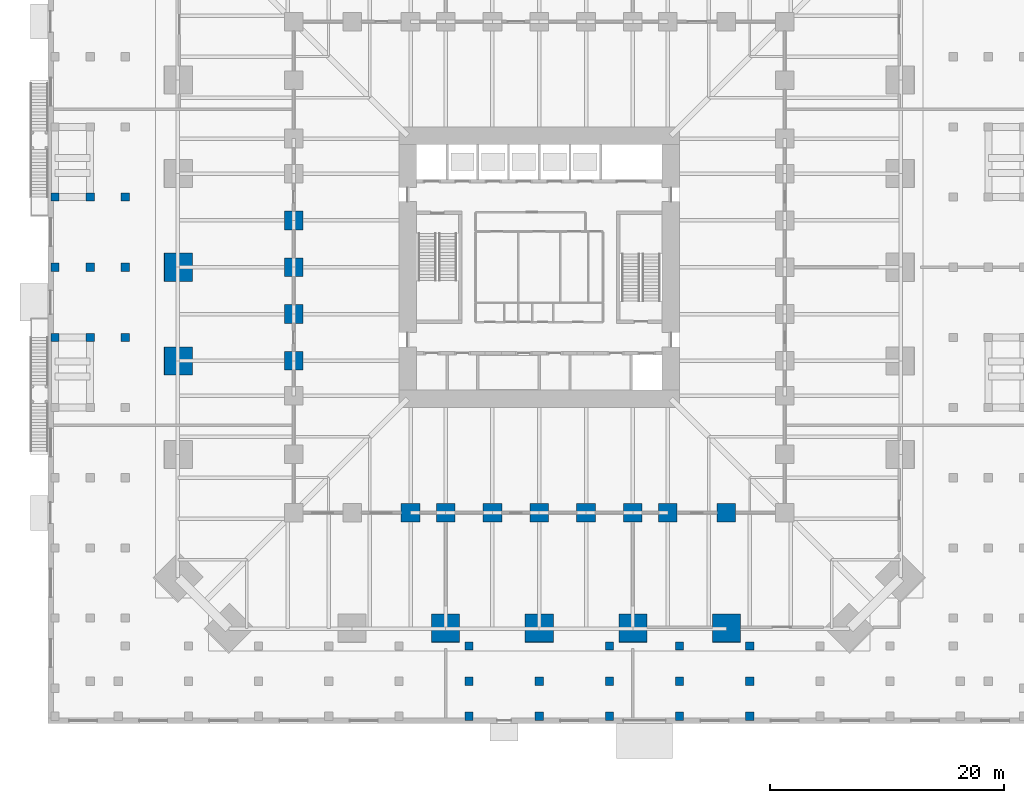
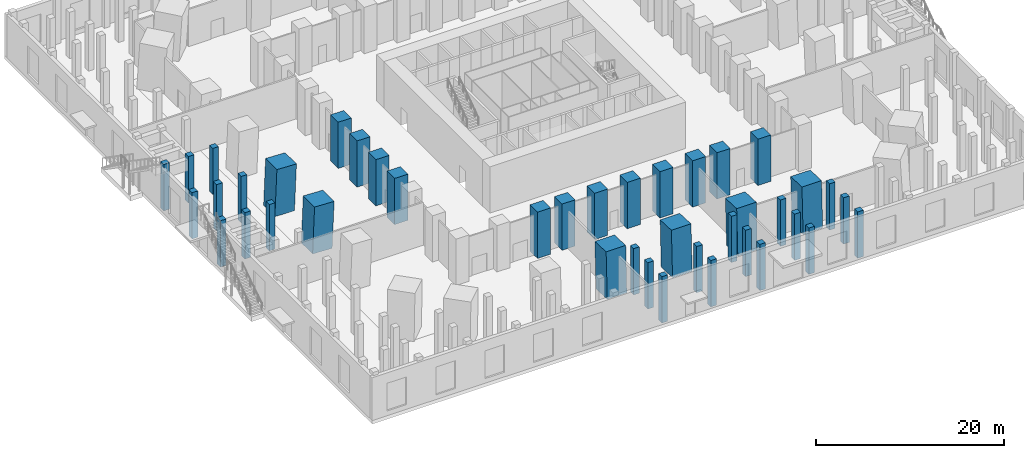
# One storey, part 3 of 20: 41 columns.
"""IFC4 building model written with IfcOpenShell, lengths in metres."""

from ifc_helpers import new_model, si_unit, direction, frame, origin, origin_2d, place, context, subcontext, project, spatial, rectangle, extrude, material, material_profile, profile_set, type_object, element, save


model = new_model("IFC4")

# Units and contexts
model_context = context("Model", 3, precision=1e-05, world=origin(), true_north=direction((0.0, 1.0)))
body_context = subcontext(model_context, "Body", "Model", "MODEL_VIEW")
ifc_project = project(units=[si_unit("LENGTHUNIT", "METRE"), si_unit("AREAUNIT", "SQUARE_METRE"), si_unit("VOLUMEUNIT", "CUBIC_METRE"), si_unit("PLANEANGLEUNIT", "RADIAN"), si_unit("MASSUNIT", "GRAM", prefix="KILO")], contexts=[model_context])

# Site, building, storey
site_placement = place(None, origin())
site = spatial("IfcSite", under=ifc_project, at=site_placement, CompositionType="ELEMENT")
building_placement = place(site_placement, origin())
building = spatial("IfcBuilding", under=site, at=building_placement, Name="Peilmerk Tower", CompositionType="ELEMENT")
storey_placement = place(building_placement, origin())
storey = spatial("IfcBuildingStorey", under=building, at=storey_placement, Name="L00", CompositionType="ELEMENT", Elevation=0.0)

# Columns
ifc_material_1 = material(Name="Concrete C55/67", Category="concrete")
ifc_material_profile_1 = material_profile(ifc_material_1, rectangle(XDim=0.699951171875, YDim=0.699951171875, at=origin_2d()), Name="RC 700x700")
ifc_profile_set_1 = profile_set([ifc_material_profile_1], Name="Concrete C55/67")
column_type_1 = type_object("IfcColumnType", Name="PC1 700x700 podium column", PredefinedType="COLUMN", material=ifc_profile_set_1)
for number, where, z_axis, x_axis, name in (
    (1, (-35.39990234375, -6.0, 0.0), (0.0, 0.0, 1.0), (1.0, 0.0, 0.0), "Podium column ring A L00"),
    (2, (-35.39990234375, 0.0, 0.0), (0.0, 0.0, 1.0), (1.0, 0.0, 0.0), "Podium column ring A L00"),
    (3, (-35.39990234375, 6.0, 0.0), (0.0, 0.0, 1.0), (1.0, 0.0, 0.0), "Podium column ring A L00"),
    (4, (-6.0, -32.39990234375, 0.0), (0.0, 0.0, 1.0), (1.0, 0.0, 0.0), "Podium column ring A L00"),
    (5, (6.0, -32.39990234375, 0.0), (0.0, 0.0, 1.0), (1.0, 0.0, 0.0), "Podium column ring A L00"),
    (6, (12.0, -32.39990234375, 0.0), (0.0, 0.0, 1.0), (1.0, 0.0, 0.0), "Podium column ring A L00"),
    (7, (18.0, -32.39990234375, 0.0), (0.0, 0.0, 1.0), (1.0, 0.0, 0.0), "Podium column ring A L00"),
    (8, (-38.39990234375, -6.0, 0.0), (0.0, 0.0, 1.0), (1.0, 0.0, 0.0), "Podium column ring B L00"),
    (9, (-38.39990234375, 0.0, 0.0), (0.0, 0.0, 1.0), (1.0, 0.0, 0.0), "Podium column ring B L00"),
    (10, (-38.39990234375, 6.0, 0.0), (0.0, 0.0, 1.0), (1.0, 0.0, 0.0), "Podium column ring B L00"),
    (11, (-6.0, -35.39990234375, 0.0), (0.0, 0.0, 1.0), (1.0, 0.0, 0.0), "Podium column ring B L00"),
    (12, (0.0, -35.39990234375, 0.0), (0.0, 0.0, 1.0), (1.0, 0.0, 0.0), "Podium column ring B L00"),
    (13, (6.0, -35.39990234375, 0.0), (0.0, 0.0, 1.0), (1.0, 0.0, 0.0), "Podium column ring B L00"),
    (14, (12.0, -35.39990234375, 0.0), (0.0, 0.0, 1.0), (1.0, 0.0, 0.0), "Podium column ring B L00"),
    (15, (18.0, -35.39990234375, 0.0), (0.0, 0.0, 1.0), (1.0, 0.0, 0.0), "Podium column ring B L00"),
    (16, (-41.39990234375, -6.0, 0.0), (0.0, 0.0, 1.0), (1.0, 0.0, 0.0), "Podium column ring C L00"),
    (17, (-41.39990234375, 0.0, 0.0), (0.0, 0.0, 1.0), (1.0, 0.0, 0.0), "Podium column ring C L00"),
    (18, (-41.39990234375, 6.0, 0.0), (0.0, 0.0, 1.0), (1.0, 0.0, 0.0), "Podium column ring C L00"),
    (19, (-6.0, -38.39990234375, 0.0), (0.0, 0.0, 1.0), (1.0, 0.0, 0.0), "Podium column ring C L00"),
    (20, (0.0, -38.39990234375, 0.0), (0.0, 0.0, 1.0), (1.0, 0.0, 0.0), "Podium column ring C L00"),
    (21, (6.0, -38.39990234375, 0.0), (0.0, 0.0, 1.0), (1.0, 0.0, 0.0), "Podium column ring C L00"),
    (22, (12.0, -38.39990234375, 0.0), (0.0, 0.0, 1.0), (1.0, 0.0, 0.0), "Podium column ring C L00"),
    (23, (18.0, -38.39990234375, 0.0), (0.0, 0.0, 1.0), (1.0, 0.0, 0.0), "Podium column ring C L00"),
):
    element("IfcColumn", number, at=place(storey_placement, frame(where, z_axis=z_axis, x_axis=x_axis)), inside=storey, type_object=column_type_1, Name=name, PredefinedType="COLUMN", context=body_context, shape_type="SweptSolid", body=[
        extrude(rectangle(XDim=0.699951171875, YDim=0.699951171875, at=origin_2d()), origin(), (0.0, 0.0, 1.0), 6.0),
    ])
ifc_material_2 = material(Name="Concrete C90/105", Category="concrete")
ifc_material_profile_2 = material_profile(ifc_material_2, rectangle(XDim=2.39990234375, YDim=2.39990234375, at=origin_2d()), Name="RC 2400x2400")
ifc_profile_set_2 = profile_set([ifc_material_profile_2], Name="Concrete C90/105")
column_type_2 = type_object("IfcColumnType", Name="SC1 2400x2400 encased perimeter column", PredefinedType="COLUMN", material=ifc_profile_set_2)
for number, where, z_axis, x_axis, name in (
    (24, (0.0, -30.896728515625, 0.0), (0.0, 0.0402911495, 0.999187981949), (-1.0, 0.0, 0.0), "Perimeter column S+0 L00"),
    (25, (-8.0, -30.896728515625, 0.0), (0.0, 0.0402911495, 0.999187981949), (-1.0, 0.0, 0.0), "Perimeter column S-8 L00"),
    (26, (8.0, -30.896728515625, 0.0), (0.0, 0.0402911495, 0.999187981949), (-1.0, 0.0, 0.0), "Perimeter column S+8 L00"),
    (27, (16.0, -30.896728515625, 0.0), (0.0, 0.0402911495, 0.999187981949), (-1.0, 0.0, 0.0), "Perimeter column S+16 L00"),
    (28, (-30.896728515625, 0.0, 0.0), (0.0402911495, 0.0, 0.999187981949), (0.0, 1.0, 0.0), "Perimeter column W+0 L00"),
    (29, (-30.896728515625, -8.0, 0.0), (0.0402911495, 0.0, 0.999187981949), (0.0, 1.0, 0.0), "Perimeter column W+8 L00"),
):
    element("IfcColumn", number, at=place(storey_placement, frame(where, z_axis=z_axis, x_axis=x_axis)), inside=storey, type_object=column_type_2, Name=name, PredefinedType="COLUMN", context=body_context, shape_type="SweptSolid", body=[
        extrude(rectangle(XDim=2.39990234375, YDim=2.39990234375, at=origin_2d()), origin(), (0.0, 0.0, 1.0), 6.0048828125),
    ])
ifc_material_profile_3 = material_profile(ifc_material_2, rectangle(XDim=1.60009765625, YDim=1.60009765625, at=origin_2d()), Name="RC 1600x1600")
ifc_profile_set_3 = profile_set([ifc_material_profile_3], Name="Concrete C90/105")
column_type_3 = type_object("IfcColumnType", Name="SC2 1600x1600 encased interior column", PredefinedType="COLUMN", material=ifc_profile_set_3)
for number, where, z_axis, x_axis, name in (
    (30, (0.0, -21.0, 0.0), (0.0, 0.0, 1.0), (1.0, 0.0, 0.0), "Interior column S+0 L00"),
    (31, (-4.0, -21.0, 0.0), (0.0, 0.0, 1.0), (1.0, 0.0, 0.0), "Interior column S-4 L00"),
    (32, (4.0, -21.0, 0.0), (0.0, 0.0, 1.0), (1.0, 0.0, 0.0), "Interior column S+4 L00"),
    (33, (-8.0, -21.0, 0.0), (0.0, 0.0, 1.0), (1.0, 0.0, 0.0), "Interior column S-8 L00"),
    (34, (8.0, -21.0, 0.0), (0.0, 0.0, 1.0), (1.0, 0.0, 0.0), "Interior column S+8 L00"),
    (35, (-11.0, -21.0, 0.0), (0.0, 0.0, 1.0), (1.0, 0.0, 0.0), "Interior column S-11 L00"),
    (36, (11.0, -21.0, 0.0), (0.0, 0.0, 1.0), (1.0, 0.0, 0.0), "Interior column S+11 L00"),
    (37, (16.0, -21.0, 0.0), (0.0, 0.0, 1.0), (1.0, 0.0, 0.0), "Interior column S+16 L00"),
    (38, (-21.0, 0.0, 0.0), (0.0, 0.0, 1.0), (1.0, 0.0, 0.0), "Interior column W+0 L00"),
    (39, (-21.0, 4.0, 0.0), (0.0, 0.0, 1.0), (1.0, 0.0, 0.0), "Interior column W-4 L00"),
    (40, (-21.0, -4.0, 0.0), (0.0, 0.0, 1.0), (1.0, 0.0, 0.0), "Interior column W+4 L00"),
    (41, (-21.0, -8.0, 0.0), (0.0, 0.0, 1.0), (1.0, 0.0, 0.0), "Interior column W+8 L00"),
):
    element("IfcColumn", number, at=place(storey_placement, frame(where, z_axis=z_axis, x_axis=x_axis)), inside=storey, type_object=column_type_3, Name=name, PredefinedType="COLUMN", context=body_context, shape_type="SweptSolid", body=[
        extrude(rectangle(XDim=1.60009765625, YDim=1.60009765625, at=origin_2d()), origin(), (0.0, 0.0, 1.0), 6.0),
    ])

save(model, "model.ifc")
